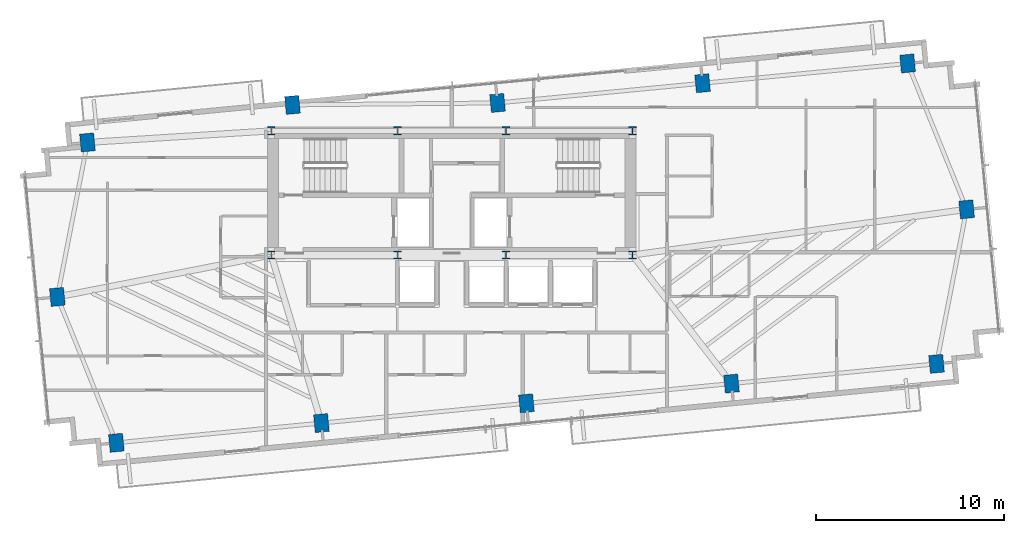
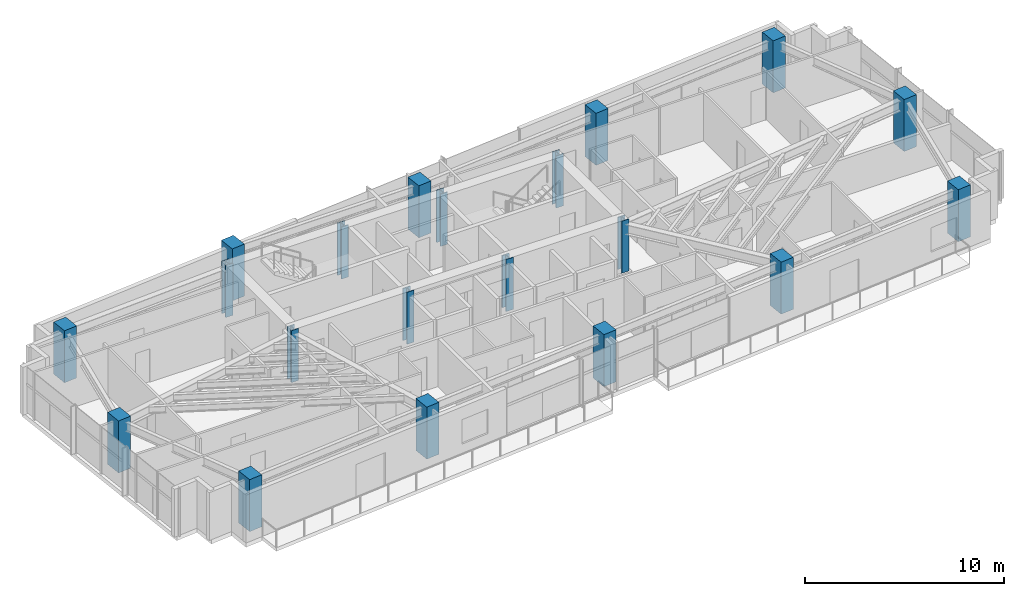
# One storey, part 1 of 18: 20 columns.
"""IFC4 building model written with IfcOpenShell, lengths in metres."""

from ifc_helpers import new_model, si_unit, direction, frame, origin, origin_2d, place, context, subcontext, project, spatial, rectangle, i_section, extrude, source, transform, mapped, material, material_profile, profile_set, type_object, type_shapes, element, save


model = new_model("IFC4")

# Units and contexts
model_context = context("Model", 3, precision=1e-05, world=origin(), true_north=direction((0.0, 1.0)))
body_context = subcontext(model_context, "Body", "Model", "MODEL_VIEW")
ifc_project = project(units=[si_unit("LENGTHUNIT", "METRE"), si_unit("AREAUNIT", "SQUARE_METRE"), si_unit("VOLUMEUNIT", "CUBIC_METRE"), si_unit("PLANEANGLEUNIT", "RADIAN"), si_unit("MASSUNIT", "GRAM", prefix="KILO")], contexts=[model_context])

# Site, building, storey
site_placement = place(None, origin())
site = spatial("IfcSite", under=ifc_project, at=site_placement, CompositionType="ELEMENT")
building_placement = place(site_placement, origin())
building = spatial("IfcBuilding", under=site, at=building_placement, Name="Astriad Promenade Condominiums", CompositionType="ELEMENT")
storey_placement = place(building_placement, frame((0.0, 0.0, 185.800048828125)))
storey = spatial("IfcBuildingStorey", under=building, at=storey_placement, Name="L53", CompositionType="ELEMENT", Elevation=185.800048828125)

# Columns
ifc_material_1 = material(Name="Steel ASTM A992 Grade 50", Category="steel")
ifc_material_profile_1 = material_profile(ifc_material_1, i_section(OverallWidth=0.41552734375, OverallDepth=0.445556640625, WebThickness=0.0390625, FlangeThickness=0.062744140625, FilletRadius=0.017822265625, at=origin_2d()), Name="W14X342")
ifc_profile_set_1 = profile_set([ifc_material_profile_1], Name="Steel ASTM A992 Grade 50")
column_type_1 = type_object("IfcColumnType", Name="STEEL CORE PILASTER W14X342", PredefinedType="PILASTER", material=ifc_profile_set_1)
shared_shape_1 = source(origin(), body_context, "Body", "SweptSolid", [
    extrude(i_section(OverallWidth=0.41552734375, OverallDepth=0.445556640625, WebThickness=0.0390625, FlangeThickness=0.062744140625, FilletRadius=0.017822265625, at=origin_2d()), origin(), (0.0, 0.0, 1.0), 3.196044921875),
])
type_shapes(column_type_1, [shared_shape_1])
for number, where, z_axis, x_axis, name in (
    (1, (26.39990234375, 17.39990234375, 0.001953125), (0.0, 0.0, 1.0), (1.0, 0.0, 0.0), "Core Pilaster Column CP1 (L53)"),
    (2, (33.1201171875, 17.39990234375, 0.001953125), (0.0, 0.0, 1.0), (1.0, 0.0, 0.0), "Core Pilaster Column CP2 (L53)"),
    (3, (38.8798828125, 17.39990234375, 0.001953125), (0.0, 0.0, 1.0), (1.0, 0.0, 0.0), "Core Pilaster Column CP3 (L53)"),
    (4, (45.60009765625, 17.39990234375, 0.001953125), (0.0, 0.0, 1.0), (1.0, 0.0, 0.0), "Core Pilaster Column CP4 (L53)"),
    (5, (26.39990234375, 24.0, 0.001953125), (0.0, 0.0, 1.0), (1.0, 0.0, 0.0), "Core Pilaster Column CP5 (L53)"),
    (6, (33.1201171875, 24.0, 0.001953125), (0.0, 0.0, 1.0), (1.0, 0.0, 0.0), "Core Pilaster Column CP6 (L53)"),
    (7, (38.8798828125, 24.0, 0.001953125), (0.0, 0.0, 1.0), (1.0, 0.0, 0.0), "Core Pilaster Column CP7 (L53)"),
    (8, (45.60009765625, 24.0, 0.001953125), (0.0, 0.0, 1.0), (1.0, 0.0, 0.0), "Core Pilaster Column CP8 (L53)"),
):
    element("IfcColumn", number, at=place(storey_placement, frame(where, z_axis=z_axis, x_axis=x_axis)), inside=storey, type_object=column_type_1, Name=name, PredefinedType="PILASTER", context=body_context, shape_type="MappedRepresentation", body=[
        mapped(shared_shape_1, transform((0.0, 0.0, 0.0), scale=1.0)),
    ])
ifc_material_2 = material(Name="Concrete C50/60", Category="concrete")
ifc_material_profile_2 = material_profile(ifc_material_2, rectangle(XDim=0.75, YDim=0.949951171875, at=origin_2d()), Name="RC-COL-950X750")
ifc_profile_set_2 = profile_set([ifc_material_profile_2], Name="Concrete C50/60")
column_type_2 = type_object("IfcColumnType", Name="CONCRETE TOWER COLUMN 950X750", PredefinedType="COLUMN", material=ifc_profile_set_2)
shared_shape_2 = source(origin(), body_context, "Body", "SweptSolid", [
    extrude(rectangle(XDim=0.75, YDim=0.949951171875, at=origin_2d()), origin(), (0.0, 0.0, 1.0), 3.196044921875),
])
type_shapes(column_type_2, [shared_shape_2])
for number, where, z_axis, x_axis, name in (
    (9, (18.16943359375, 7.41796875, 0.001953125), (0.0, 0.0, 1.0), (0.995396198367, 0.09584575252, 0.0), "Perimeter Column PC01 (L53)"),
    (10, (29.069091796875, 8.46728515625, 0.001953125), (0.0, 0.0, 1.0), (0.995396198367, 0.09584575252, 0.0), "Perimeter Column PC02 (L53)"),
    (11, (39.96875, 9.516845703125, 0.001953125), (0.0, 0.0, 1.0), (0.995396198367, 0.09584575252, 0.0), "Perimeter Column PC03 (L53)"),
    (12, (50.868408203125, 10.56640625, 0.001953125), (0.0, 0.0, 1.0), (0.995396198367, 0.09584575252, 0.0), "Perimeter Column PC04 (L53)"),
    (13, (61.767822265625, 11.615966796875, 0.001953125), (0.0, 0.0, 1.0), (0.995396198367, 0.09584575252, 0.0), "Perimeter Column PC05 (L53)"),
    (14, (16.632080078125, 23.384033203125, 0.001953125), (0.0, 0.0, 1.0), (0.995396198367, 0.09584575252, 0.0), "Perimeter Column PC06 (L53)"),
    (15, (27.53173828125, 25.3798828125, 0.001953125), (0.0, 0.0, 1.0), (0.995396198367, 0.09584575252, 0.0), "Perimeter Column PC07 (L53)"),
    (16, (38.431396484375, 25.483154296875, 0.001953125), (0.0, 0.0, 1.0), (0.995396198367, 0.09584575252, 0.0), "Perimeter Column PC08 (L53)"),
    (17, (49.330810546875, 26.53271484375, 0.001953125), (0.0, 0.0, 1.0), (0.995396198367, 0.09584575252, 0.0), "Perimeter Column PC09 (L53)"),
    (18, (60.23046875, 27.58203125, 0.001953125), (0.0, 0.0, 1.0), (0.995396198367, 0.09584575252, 0.0), "Perimeter Column PC10 (L53)"),
    (19, (15.03173828125, 15.1728515625, 0.001953125), (0.0, 0.0, 1.0), (0.995396198367, 0.09584575252, 0.0), "Perimeter Column PC11 (L53)"),
    (20, (63.3681640625, 19.8271484375, 0.001953125), (0.0, 0.0, 1.0), (0.995396198367, 0.09584575252, 0.0), "Perimeter Column PC12 (L53)"),
):
    element("IfcColumn", number, at=place(storey_placement, frame(where, z_axis=z_axis, x_axis=x_axis)), inside=storey, type_object=column_type_2, Name=name, PredefinedType="COLUMN", context=body_context, shape_type="MappedRepresentation", body=[
        mapped(shared_shape_2, transform((0.0, 0.0, 0.0), scale=1.0)),
    ])

save(model, "model.ifc")
